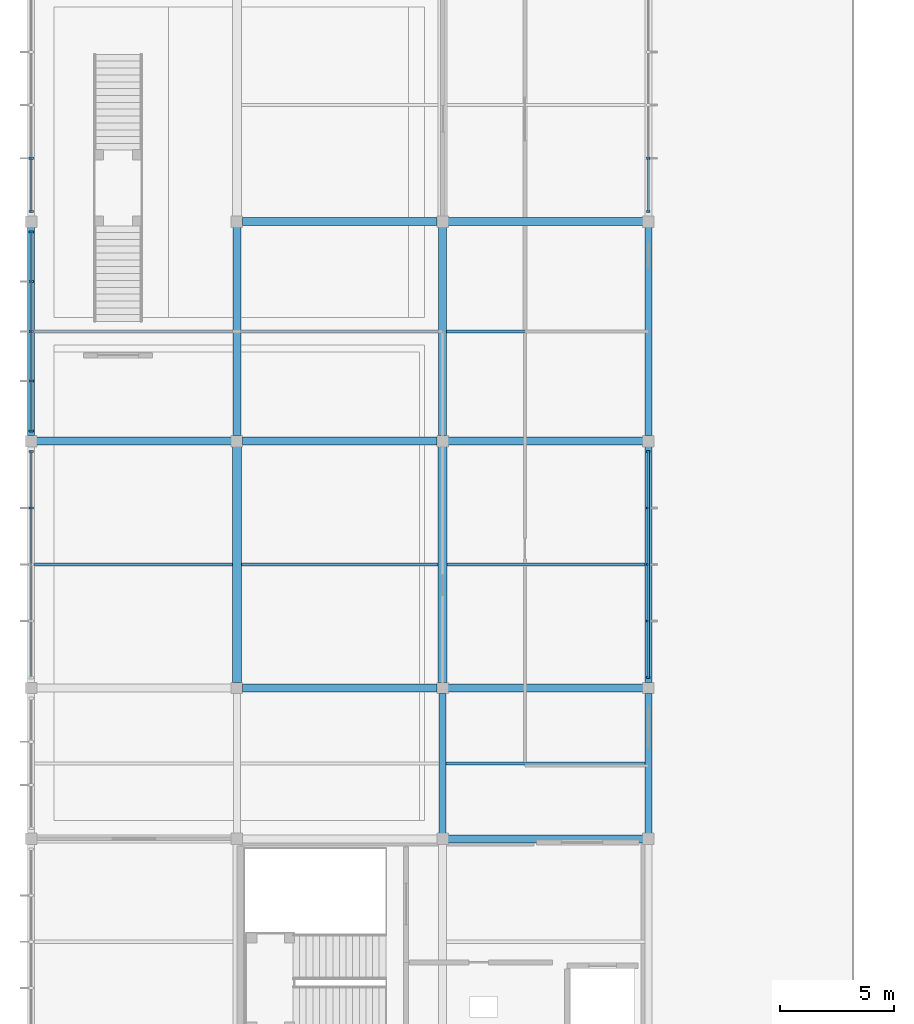
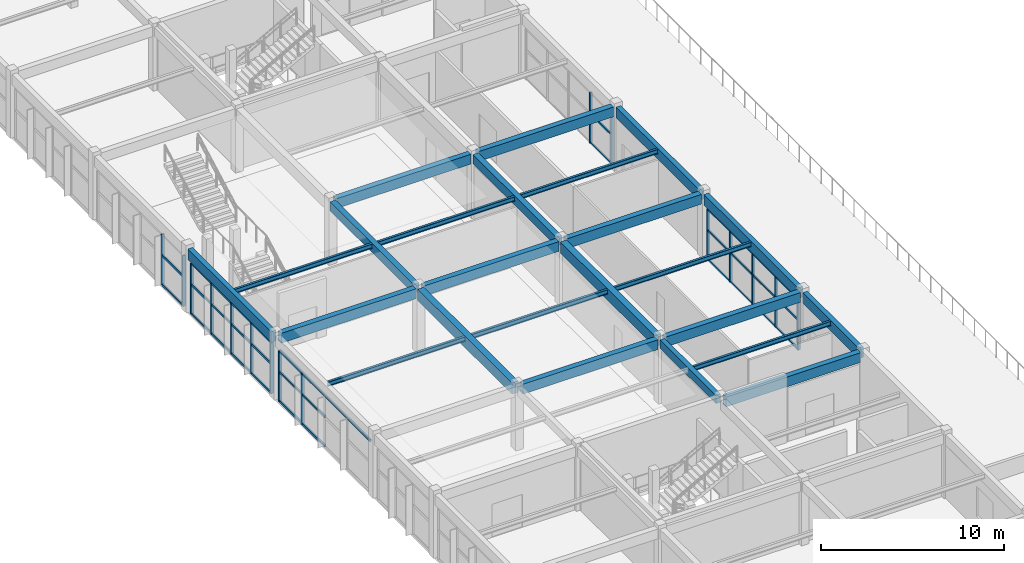
# One storey, part 4 of 22: 43 members, 24 beams, 5 elements without a shape of their own.
"""IFC4 building model written with IfcOpenShell, lengths in metres."""

from ifc_helpers import new_model, si_unit, direction, frame, origin, origin_2d, place, context, subcontext, project, spatial, rectangle, i_section, extrude, material, material_profile, profile_set, type_object, element, aggregate, save


model = new_model("IFC4")

# Units and contexts
model_context = context("Model", 3, precision=1e-05, world=origin(), true_north=direction((0.0, 1.0)))
body_context = subcontext(model_context, "Body", "Model", "MODEL_VIEW")
ifc_project = project(units=[si_unit("LENGTHUNIT", "METRE"), si_unit("AREAUNIT", "SQUARE_METRE"), si_unit("VOLUMEUNIT", "CUBIC_METRE"), si_unit("PLANEANGLEUNIT", "RADIAN"), si_unit("MASSUNIT", "GRAM", prefix="KILO")], contexts=[model_context])

# Site, building, storey
site_placement = place(None, origin())
site = spatial("IfcSite", under=ifc_project, at=site_placement, CompositionType="ELEMENT")
building_placement = place(site_placement, origin())
building = spatial("IfcBuilding", under=site, at=building_placement, Name="Suirenkawa Promenade Aquatics Centre", CompositionType="ELEMENT")
storey_placement = place(building_placement, frame((0.0, 0.0, 14.10009765625)))
storey = spatial("IfcBuildingStorey", under=building, at=storey_placement, Name="L03", CompositionType="ELEMENT", Elevation=14.10009765625)

# Beams
ifc_material_1 = material(Name="Steel IS 2062 E350 (Grade 350)", Category="steel")
ifc_material_profile_1 = material_profile(ifc_material_1, i_section(OverallWidth=0.139892578125, OverallDepth=0.300048828125, WebThickness=0.008056640625, FlangeThickness=0.012939453125, at=origin_2d()), Name="ISMB 300", Category="steel")
ifc_profile_set_1 = profile_set([ifc_material_profile_1], Name="Steel IS 2062 E350 (Grade 350)")
beam_type_1 = type_object("IfcBeamType", Name="BT-JOIST-ISMB300", PredefinedType="JOIST", material=ifc_profile_set_1)
beam_1_placement = place(storey_placement, frame((0.14404296875, 34.199951171875, 4.097900390625), z_axis=(1.0, 0.0, 0.0), x_axis=(0.0, 1.0, 0.0)))
element("IfcBeam", 1, at=beam_1_placement, inside=storey, type_object=beam_type_1, Name="Secondary floor joist JS-02 BM-0811", PredefinedType="JOIST", context=body_context, shape_type="SweptSolid", body=[
    extrude(i_section(OverallWidth=0.139892578125, OverallDepth=0.300048828125, WebThickness=0.008056640625, FlangeThickness=0.012939453125, at=origin_2d()), origin(), (0.0, 0.0, 1.0), 8.661865234375),
])
beam_2_placement = place(storey_placement, frame((0.14404296875, 44.39990234375, 4.097900390625), z_axis=(1.0, 0.0, 0.0), x_axis=(0.0, 1.0, 0.0)))
element("IfcBeam", 2, at=beam_2_placement, inside=storey, type_object=beam_type_1, Name="Secondary floor joist JS-02 BM-0812", PredefinedType="JOIST", context=body_context, shape_type="SweptSolid", body=[
    extrude(i_section(OverallWidth=0.139892578125, OverallDepth=0.300048828125, WebThickness=0.008056640625, FlangeThickness=0.012939453125, at=origin_2d()), origin(), (0.0, 0.0, 1.0), 8.68701171875),
])
beam_3_placement = place(storey_placement, frame((9.194091796875, 34.199951171875, 4.097900390625), z_axis=(1.0, 0.0, 0.0), x_axis=(0.0, 1.0, 0.0)))
element("IfcBeam", 3, at=beam_3_placement, inside=storey, type_object=beam_type_1, Name="Secondary floor joist JS-02 BM-0819", PredefinedType="JOIST", context=body_context, shape_type="SweptSolid", body=[
    extrude(i_section(OverallWidth=0.139892578125, OverallDepth=0.300048828125, WebThickness=0.008056640625, FlangeThickness=0.012939453125, at=origin_2d()), origin(), (0.0, 0.0, 1.0), 8.61181640625),
])
beam_4_placement = place(storey_placement, frame((9.1689453125, 44.39990234375, 4.097900390625), z_axis=(1.0, 0.0, 0.0), x_axis=(0.0, 1.0, 0.0)))
element("IfcBeam", 4, at=beam_4_placement, inside=storey, type_object=beam_type_1, Name="Secondary floor joist JS-02 BM-0820", PredefinedType="JOIST", context=body_context, shape_type="SweptSolid", body=[
    extrude(i_section(OverallWidth=0.139892578125, OverallDepth=0.300048828125, WebThickness=0.008056640625, FlangeThickness=0.012939453125, at=origin_2d()), origin(), (0.0, 0.0, 1.0), 8.662109375),
])
beam_5_placement = place(storey_placement, frame((18.14404296875, 25.5, 4.097900390625), z_axis=(1.0, 0.0, 0.0), x_axis=(0.0, 1.0, 0.0)))
element("IfcBeam", 5, at=beam_5_placement, inside=storey, type_object=beam_type_1, Name="Secondary floor joist JS-02 BM-0827", PredefinedType="JOIST", context=body_context, shape_type="SweptSolid", body=[
    extrude(i_section(OverallWidth=0.139892578125, OverallDepth=0.300048828125, WebThickness=0.008056640625, FlangeThickness=0.012939453125, at=origin_2d()), origin(), (0.0, 0.0, 1.0), 8.7119140625),
])
beam_6_placement = place(storey_placement, frame((18.194091796875, 34.199951171875, 4.097900390625), z_axis=(1.0, 0.0, 0.0), x_axis=(0.0, 1.0, 0.0)))
element("IfcBeam", 6, at=beam_6_placement, inside=storey, type_object=beam_type_1, Name="Secondary floor joist JS-02 BM-0828", PredefinedType="JOIST", context=body_context, shape_type="SweptSolid", body=[
    extrude(i_section(OverallWidth=0.139892578125, OverallDepth=0.300048828125, WebThickness=0.008056640625, FlangeThickness=0.012939453125, at=origin_2d()), origin(), (0.0, 0.0, 1.0), 8.661865234375),
])
beam_7_placement = place(storey_placement, frame((18.1689453125, 44.39990234375, 4.097900390625), z_axis=(1.0, 0.0, 0.0), x_axis=(0.0, 1.0, 0.0)))
element("IfcBeam", 7, at=beam_7_placement, inside=storey, type_object=beam_type_1, Name="Secondary floor joist JS-02 BM-0829", PredefinedType="JOIST", context=body_context, shape_type="SweptSolid", body=[
    extrude(i_section(OverallWidth=0.139892578125, OverallDepth=0.300048828125, WebThickness=0.008056640625, FlangeThickness=0.012939453125, at=origin_2d()), origin(), (0.0, 0.0, 1.0), 8.68701171875),
])
ifc_material_2 = material(Name="Concrete M35", Category="concrete")
ifc_material_profile_2 = material_profile(ifc_material_2, rectangle(XDim=0.300048828125, YDim=0.550048828125, at=origin_2d()), Name="RC BM 300x550", Category="concrete")
ifc_profile_set_2 = profile_set([ifc_material_profile_2], Name="Concrete M35")
beam_type_2 = type_object("IfcBeamType", Name="BT-RC-300x550", PredefinedType="BEAM", material=ifc_profile_set_2)
beam_8_placement = place(storey_placement, frame((18.0, 22.444091796875, 3.974853515625), z_axis=(0.0, 1.0, 0.0), x_axis=(-1.0, 0.0, 0.0)))
element("IfcBeam", 8, at=beam_8_placement, inside=storey, type_object=beam_type_2, Name="Floor beam BM-01 BM-0790", PredefinedType="BEAM", context=body_context, shape_type="SweptSolid", body=[
    extrude(rectangle(XDim=0.300048828125, YDim=0.550048828125, at=origin_2d()), origin(), (0.0, 0.0, 1.0), 6.11181640625),
])
ifc_material_profile_3 = material_profile(ifc_material_2, rectangle(XDim=0.35009765625, YDim=0.60009765625, at=origin_2d()), Name="RC BM 350x600", Category="concrete")
ifc_profile_set_3 = profile_set([ifc_material_profile_3], Name="Concrete M35")
beam_type_3 = type_object("IfcBeamType", Name="BT-RC-350x600", PredefinedType="BEAM", material=ifc_profile_set_3)
for number, where, z_axis, x_axis, name in (
    (9, (9.0, 39.843994140625, 3.949951171875), (0.0, 1.0, 0.0), (-1.0, 0.0, 0.0), "Floor beam BM-02 BM-0782"),
    (10, (18.0, 39.843994140625, 3.949951171875), (0.0, 1.0, 0.0), (-1.0, 0.0, 0.0), "Floor beam BM-02 BM-0792"),
):
    element("IfcBeam", number, at=place(storey_placement, frame(where, z_axis=z_axis, x_axis=x_axis)), inside=storey, type_object=beam_type_3, Name=name, PredefinedType="BEAM", context=body_context, shape_type="SweptSolid", body=[
        extrude(rectangle(XDim=0.35009765625, YDim=0.60009765625, at=origin_2d()), origin(), (0.0, 0.0, 1.0), 9.112060546875),
    ])
ifc_material_profile_4 = material_profile(ifc_material_2, rectangle(XDim=0.35009765625, YDim=0.64990234375, at=origin_2d()), Name="RC BM 350x650", Category="concrete")
ifc_profile_set_4 = profile_set([ifc_material_profile_4], Name="Concrete M35")
beam_type_4 = type_object("IfcBeamType", Name="BT-RC-350x650", PredefinedType="BEAM", material=ifc_profile_set_4)
for number, where, z_axis, x_axis, name in (
    (11, (18.243896484375, 22.199951171875, 3.9248046875), (1.0, 0.0, 0.0), (0.0, 1.0, 0.0), "Floor beam BM-03 BM-0744"),
    (12, (9.243896484375, 28.800048828125, 3.9248046875), (1.0, 0.0, 0.0), (0.0, 1.0, 0.0), "Floor beam BM-03 BM-0746"),
    (13, (18.243896484375, 28.800048828125, 3.9248046875), (1.0, 0.0, 0.0), (0.0, 1.0, 0.0), "Floor beam BM-03 BM-0747"),
    (14, (0.243896484375, 39.60009765625, 3.9248046875), (1.0, 0.0, 0.0), (0.0, 1.0, 0.0), "Floor beam BM-03 BM-0748"),
    (15, (9.243896484375, 39.60009765625, 3.9248046875), (1.0, 0.0, 0.0), (0.0, 1.0, 0.0), "Floor beam BM-03 BM-0749"),
    (16, (18.243896484375, 39.60009765625, 3.9248046875), (1.0, 0.0, 0.0), (0.0, 1.0, 0.0), "Floor beam BM-03 BM-0750"),
    (17, (9.243896484375, 49.199951171875, 3.9248046875), (1.0, 0.0, 0.0), (0.0, 1.0, 0.0), "Floor beam BM-03 BM-0751"),
    (18, (18.243896484375, 49.199951171875, 3.9248046875), (1.0, 0.0, 0.0), (0.0, 1.0, 0.0), "Floor beam BM-03 BM-0752"),
):
    element("IfcBeam", number, at=place(storey_placement, frame(where, z_axis=z_axis, x_axis=x_axis)), inside=storey, type_object=beam_type_4, Name=name, PredefinedType="BEAM", context=body_context, shape_type="SweptSolid", body=[
        extrude(rectangle(XDim=0.35009765625, YDim=0.64990234375, at=origin_2d()), origin(), (0.0, 0.0, 1.0), 8.51220703125),
    ])
ifc_material_3 = material(Name="Concrete M40", Category="concrete")
ifc_material_profile_5 = material_profile(ifc_material_3, rectangle(XDim=0.39990234375, YDim=0.75, at=origin_2d()), Name="RC BM 400x750", Category="concrete")
ifc_profile_set_5 = profile_set([ifc_material_profile_5], Name="Concrete M40")
beam_type_5 = type_object("IfcBeamType", Name="BT-RC-400x750", PredefinedType="BEAM", material=ifc_profile_set_5)
for number, where, z_axis, x_axis, name in (
    (19, (9.0, 29.0439453125, 3.875), (0.0, 1.0, 0.0), (-1.0, 0.0, 0.0), "Floor beam BM-05 BM-0781"),
    (20, (18.0, 29.0439453125, 3.875), (0.0, 1.0, 0.0), (-1.0, 0.0, 0.0), "Floor beam BM-05 BM-0791"),
):
    element("IfcBeam", number, at=place(storey_placement, frame(where, z_axis=z_axis, x_axis=x_axis)), inside=storey, type_object=beam_type_5, Name=name, PredefinedType="BEAM", context=body_context, shape_type="SweptSolid", body=[
        extrude(rectangle(XDim=0.39990234375, YDim=0.75, at=origin_2d()), origin(), (0.0, 0.0, 1.0), 10.31201171875),
    ])
ifc_material_profile_6 = material_profile(ifc_material_3, rectangle(XDim=0.300048828125, YDim=0.699951171875, at=origin_2d()), Name="RC SPANDREL 300x700", Category="concrete")
ifc_profile_set_6 = profile_set([ifc_material_profile_6], Name="Concrete M40")
beam_type_6 = type_object("IfcBeamType", Name="BT-SPANDREL-300x700", PredefinedType="SPANDREL", material=ifc_profile_set_6)
beam_9_placement = place(storey_placement, frame((0.0, 39.843994140625, 3.89990234375), z_axis=(0.0, 1.0, 0.0), x_axis=(-1.0, 0.0, 0.0)))
element("IfcBeam", 21, at=beam_9_placement, inside=storey, type_object=beam_type_6, Name="Floor beam SP-01 BM-0772", PredefinedType="SPANDREL", context=body_context, shape_type="SweptSolid", body=[
    extrude(rectangle(XDim=0.300048828125, YDim=0.699951171875, at=origin_2d()), origin(), (0.0, 0.0, 1.0), 9.112060546875),
])
beam_10_placement = place(storey_placement, frame((27.0, 22.444091796875, 3.89990234375), z_axis=(0.0, 1.0, 0.0), x_axis=(-1.0, 0.0, 0.0)))
element("IfcBeam", 22, at=beam_10_placement, inside=storey, type_object=beam_type_6, Name="Floor beam SP-01 BM-0800", PredefinedType="SPANDREL", context=body_context, shape_type="SweptSolid", body=[
    extrude(rectangle(XDim=0.300048828125, YDim=0.699951171875, at=origin_2d()), origin(), (0.0, 0.0, 1.0), 6.11181640625),
])
beam_11_placement = place(storey_placement, frame((27.0, 29.0439453125, 3.89990234375), z_axis=(0.0, 1.0, 0.0), x_axis=(-1.0, 0.0, 0.0)))
element("IfcBeam", 23, at=beam_11_placement, inside=storey, type_object=beam_type_6, Name="Floor beam SP-01 BM-0801", PredefinedType="SPANDREL", context=body_context, shape_type="SweptSolid", body=[
    extrude(rectangle(XDim=0.300048828125, YDim=0.699951171875, at=origin_2d()), origin(), (0.0, 0.0, 1.0), 10.31201171875),
])
beam_12_placement = place(storey_placement, frame((27.0, 39.843994140625, 3.89990234375), z_axis=(0.0, 1.0, 0.0), x_axis=(-1.0, 0.0, 0.0)))
element("IfcBeam", 24, at=beam_12_placement, inside=storey, type_object=beam_type_6, Name="Floor beam SP-01 BM-0802", PredefinedType="SPANDREL", context=body_context, shape_type="SweptSolid", body=[
    extrude(rectangle(XDim=0.300048828125, YDim=0.699951171875, at=origin_2d()), origin(), (0.0, 0.0, 1.0), 9.112060546875),
])

# Curtain wall, members
ifc_material_4 = material(Name="Anodised aluminium 6063-T6", Category="aluminium")
curtain_wall_type_1 = type_object("IfcCurtainWallType", Name="CWAT-V5EL03-74", PredefinedType="NOTDEFINED", material=ifc_material_4)
curtain_wall_1_placement = place(storey_placement, origin())
curtain_wall_1 = element("IfcCurtainWall", 25, at=curtain_wall_1_placement, inside=storey, type_object=curtain_wall_type_1, Name="Curtain wall CWA-74 CW-135", PredefinedType="NOTDEFINED")
ifc_material_profile_7 = material_profile(ifc_material_4, rectangle(XDim=0.090087890625, YDim=0.159912109375, at=origin_2d()), Name="ALU MULL 90x160", Category="aluminium")
ifc_profile_set_7 = profile_set([ifc_material_profile_7], Name="Anodised aluminium 6063-T6")
member_type_1 = type_object("IfcMemberType", Name="CWM-160x90", PredefinedType="MULLION", material=ifc_profile_set_7)
member_1_placement = place(storey_placement, frame((27.0, 39.15087890625, 0.0), z_axis=(0.0, 0.0, 1.0), x_axis=(0.0, -1.0, 0.0)))
member_1 = element("IfcMember", 26, at=member_1_placement, type_object=member_type_1, Name="Mullion ML-03 CWM-02729", PredefinedType="MULLION", context=body_context, shape_type="SweptSolid", body=[
    extrude(rectangle(XDim=0.090087890625, YDim=0.159912109375, at=origin_2d()), origin(), (0.0, 0.0, 1.0), 3.369873046875),
])
member_2_placement = place(storey_placement, frame((27.0, 36.675537109375, 0.0), z_axis=(0.0, 0.0, 1.0), x_axis=(0.0, -1.0, 0.0)))
member_2 = element("IfcMember", 27, at=member_2_placement, type_object=member_type_1, Name="Mullion ML-03 CWM-02730", PredefinedType="MULLION", context=body_context, shape_type="SweptSolid", body=[
    extrude(rectangle(XDim=0.090087890625, YDim=0.159912109375, at=origin_2d()), origin(), (0.0, 0.0, 1.0), 3.369873046875),
])
member_3_placement = place(storey_placement, frame((27.0, 34.199951171875, 0.0), z_axis=(0.0, 0.0, 1.0), x_axis=(0.0, -1.0, 0.0)))
member_3 = element("IfcMember", 28, at=member_3_placement, type_object=member_type_1, Name="Mullion ML-03 CWM-02731", PredefinedType="MULLION", context=body_context, shape_type="SweptSolid", body=[
    extrude(rectangle(XDim=0.090087890625, YDim=0.159912109375, at=origin_2d()), origin(), (0.0, 0.0, 1.0), 3.369873046875),
])
member_4_placement = place(storey_placement, frame((27.0, 31.724609375, 0.0), z_axis=(0.0, 0.0, 1.0), x_axis=(0.0, -1.0, 0.0)))
member_4 = element("IfcMember", 29, at=member_4_placement, type_object=member_type_1, Name="Mullion ML-03 CWM-02732", PredefinedType="MULLION", context=body_context, shape_type="SweptSolid", body=[
    extrude(rectangle(XDim=0.090087890625, YDim=0.159912109375, at=origin_2d()), origin(), (0.0, 0.0, 1.0), 3.369873046875),
])
member_5_placement = place(storey_placement, frame((27.0, 29.2490234375, 0.0), z_axis=(0.0, 0.0, 1.0), x_axis=(0.0, -1.0, 0.0)))
member_5 = element("IfcMember", 30, at=member_5_placement, type_object=member_type_1, Name="Mullion ML-03 CWM-02733", PredefinedType="MULLION", context=body_context, shape_type="SweptSolid", body=[
    extrude(rectangle(XDim=0.090087890625, YDim=0.159912109375, at=origin_2d()), origin(), (0.0, 0.0, 1.0), 3.369873046875),
])

curtain_wall_type_2 = type_object("IfcCurtainWallType", Name="CWAT-V5EL03-77", PredefinedType="NOTDEFINED", material=ifc_material_4)
curtain_wall_2_placement = place(storey_placement, origin())
curtain_wall_2 = element("IfcCurtainWall", 31, at=curtain_wall_2_placement, inside=storey, type_object=curtain_wall_type_2, Name="Curtain wall CWA-77 CW-138", PredefinedType="NOTDEFINED")
member_6_placement = place(storey_placement, frame((27.0, 51.974609375, 0.0), z_axis=(0.0, 0.0, 1.0), x_axis=(0.0, -1.0, 0.0)))
member_6 = element("IfcMember", 32, at=member_6_placement, type_object=member_type_1, Name="Mullion ML-03 CWM-02798", PredefinedType="MULLION", context=body_context, shape_type="SweptSolid", body=[
    extrude(rectangle(XDim=0.090087890625, YDim=0.159912109375, at=origin_2d()), origin(), (0.0, 0.0, 1.0), 3.369873046875),
])
member_7_placement = place(storey_placement, frame((27.0, 49.64892578125, 0.0), z_axis=(0.0, 0.0, 1.0), x_axis=(0.0, -1.0, 0.0)))
member_7 = element("IfcMember", 33, at=member_7_placement, type_object=member_type_1, Name="Mullion ML-03 CWM-02799", PredefinedType="MULLION", context=body_context, shape_type="SweptSolid", body=[
    extrude(rectangle(XDim=0.090087890625, YDim=0.159912109375, at=origin_2d()), origin(), (0.0, 0.0, 1.0), 3.369873046875),
])

curtain_wall_type_3 = type_object("IfcCurtainWallType", Name="CWAT-V5WL03-73", PredefinedType="NOTDEFINED", material=ifc_material_4)
curtain_wall_3_placement = place(storey_placement, origin())
curtain_wall_3 = element("IfcCurtainWall", 34, at=curtain_wall_3_placement, inside=storey, type_object=curtain_wall_type_3, Name="Curtain wall CWA-73 CW-134", PredefinedType="NOTDEFINED")
ifc_material_profile_8 = material_profile(ifc_material_4, rectangle(XDim=0.094970703125, YDim=0.18994140625, at=origin_2d()), Name="ALU MULL 95x190", Category="aluminium")
ifc_profile_set_8 = profile_set([ifc_material_profile_8], Name="Anodised aluminium 6063-T6")
member_type_2 = type_object("IfcMemberType", Name="CWM-190x95", PredefinedType="MULLION", material=ifc_profile_set_8)
member_8_placement = place(storey_placement, frame((0.0, 36.675537109375, 0.0), z_axis=(0.0, 0.0, 1.0), x_axis=(0.0, 1.0, 0.0)))
member_8 = element("IfcMember", 35, at=member_8_placement, type_object=member_type_2, Name="Mullion ML-02 CWM-02710", PredefinedType="MULLION", context=body_context, shape_type="SweptSolid", body=[
    extrude(rectangle(XDim=0.094970703125, YDim=0.18994140625, at=origin_2d()), origin(), (0.0, 0.0, 1.0), 3.369873046875),
])
member_9_placement = place(storey_placement, frame((0.0, 39.15087890625, 0.0), z_axis=(0.0, 0.0, 1.0), x_axis=(0.0, 1.0, 0.0)))
member_9 = element("IfcMember", 36, at=member_9_placement, type_object=member_type_2, Name="Mullion ML-02 CWM-02711", PredefinedType="MULLION", context=body_context, shape_type="SweptSolid", body=[
    extrude(rectangle(XDim=0.094970703125, YDim=0.18994140625, at=origin_2d()), origin(), (0.0, 0.0, 1.0), 3.369873046875),
])

curtain_wall_type_4 = type_object("IfcCurtainWallType", Name="CWAT-V5WL03-75", PredefinedType="NOTDEFINED", material=ifc_material_4)
curtain_wall_4_placement = place(storey_placement, origin())
curtain_wall_4 = element("IfcCurtainWall", 37, at=curtain_wall_4_placement, inside=storey, type_object=curtain_wall_type_4, Name="Curtain wall CWA-75 CW-136", PredefinedType="NOTDEFINED")
member_10_placement = place(storey_placement, frame((0.0, 40.049072265625, 0.0), z_axis=(0.0, 0.0, 1.0), x_axis=(0.0, 1.0, 0.0)))
member_10 = element("IfcMember", 38, at=member_10_placement, type_object=member_type_2, Name="Mullion ML-02 CWM-02751", PredefinedType="MULLION", context=body_context, shape_type="SweptSolid", body=[
    extrude(rectangle(XDim=0.094970703125, YDim=0.18994140625, at=origin_2d()), origin(), (0.0, 0.0, 1.0), 3.369873046875),
])
member_11_placement = place(storey_placement, frame((0.0, 42.224609375, 0.0), z_axis=(0.0, 0.0, 1.0), x_axis=(0.0, 1.0, 0.0)))
member_11 = element("IfcMember", 39, at=member_11_placement, type_object=member_type_2, Name="Mullion ML-02 CWM-02752", PredefinedType="MULLION", context=body_context, shape_type="SweptSolid", body=[
    extrude(rectangle(XDim=0.094970703125, YDim=0.18994140625, at=origin_2d()), origin(), (0.0, 0.0, 1.0), 3.369873046875),
])
member_12_placement = place(storey_placement, frame((0.0, 44.39990234375, 0.0), z_axis=(0.0, 0.0, 1.0), x_axis=(0.0, 1.0, 0.0)))
member_12 = element("IfcMember", 40, at=member_12_placement, type_object=member_type_2, Name="Mullion ML-02 CWM-02753", PredefinedType="MULLION", context=body_context, shape_type="SweptSolid", body=[
    extrude(rectangle(XDim=0.094970703125, YDim=0.18994140625, at=origin_2d()), origin(), (0.0, 0.0, 1.0), 3.369873046875),
])
member_13_placement = place(storey_placement, frame((0.0, 46.575439453125, 0.0), z_axis=(0.0, 0.0, 1.0), x_axis=(0.0, 1.0, 0.0)))
member_13 = element("IfcMember", 41, at=member_13_placement, type_object=member_type_2, Name="Mullion ML-02 CWM-02754", PredefinedType="MULLION", context=body_context, shape_type="SweptSolid", body=[
    extrude(rectangle(XDim=0.094970703125, YDim=0.18994140625, at=origin_2d()), origin(), (0.0, 0.0, 1.0), 3.369873046875),
])
member_14_placement = place(storey_placement, frame((0.0, 48.7509765625, 0.0), z_axis=(0.0, 0.0, 1.0), x_axis=(0.0, 1.0, 0.0)))
member_14 = element("IfcMember", 42, at=member_14_placement, type_object=member_type_2, Name="Mullion ML-02 CWM-02755", PredefinedType="MULLION", context=body_context, shape_type="SweptSolid", body=[
    extrude(rectangle(XDim=0.094970703125, YDim=0.18994140625, at=origin_2d()), origin(), (0.0, 0.0, 1.0), 3.369873046875),
])

curtain_wall_type_5 = type_object("IfcCurtainWallType", Name="CWAT-V5WL03-76", PredefinedType="NOTDEFINED", material=ifc_material_4)
curtain_wall_5_placement = place(storey_placement, origin())
curtain_wall_5 = element("IfcCurtainWall", 43, at=curtain_wall_5_placement, inside=storey, type_object=curtain_wall_type_5, Name="Curtain wall CWA-76 CW-137", PredefinedType="NOTDEFINED")
member_15_placement = place(storey_placement, frame((0.0, 49.64892578125, 0.0), z_axis=(0.0, 0.0, 1.0), x_axis=(0.0, 1.0, 0.0)))
member_15 = element("IfcMember", 44, at=member_15_placement, type_object=member_type_2, Name="Mullion ML-02 CWM-02773", PredefinedType="MULLION", context=body_context, shape_type="SweptSolid", body=[
    extrude(rectangle(XDim=0.094970703125, YDim=0.18994140625, at=origin_2d()), origin(), (0.0, 0.0, 1.0), 3.369873046875),
])
member_16_placement = place(storey_placement, frame((0.0, 51.974609375, 0.0), z_axis=(0.0, 0.0, 1.0), x_axis=(0.0, 1.0, 0.0)))
member_16 = element("IfcMember", 45, at=member_16_placement, type_object=member_type_2, Name="Mullion ML-02 CWM-02774", PredefinedType="MULLION", context=body_context, shape_type="SweptSolid", body=[
    extrude(rectangle(XDim=0.094970703125, YDim=0.18994140625, at=origin_2d()), origin(), (0.0, 0.0, 1.0), 3.369873046875),
])

# Member
ifc_material_profile_9 = material_profile(ifc_material_4, rectangle(XDim=0.090087890625, YDim=0.1298828125, at=origin_2d()), Name="ALU TRAN 90x130", Category="aluminium")
ifc_profile_set_9 = profile_set([ifc_material_profile_9], Name="Anodised aluminium 6063-T6")
member_type_3 = type_object("IfcMemberType", Name="CWT-130x90", PredefinedType="USERDEFINED", material=ifc_profile_set_9)
member_17_placement = place(storey_placement, frame((27.0, 39.15087890625, 0.0), z_axis=(0.0, -1.0, 0.0), x_axis=(1.0, 0.0, 0.0)))
member_17 = element("IfcMember", 46, at=member_17_placement, type_object=member_type_3, Name="Transom TR-03 CWT-02734", ObjectType="TRANSOM", PredefinedType="USERDEFINED", context=body_context, shape_type="SweptSolid", body=[
    extrude(rectangle(XDim=0.090087890625, YDim=0.1298828125, at=origin_2d()), origin(), (0.0, 0.0, 1.0), 2.475341796875),
])

member_18_placement = place(storey_placement, frame((27.0, 36.675537109375, 0.0), z_axis=(0.0, -1.0, 0.0), x_axis=(1.0, 0.0, 0.0)))
member_18 = element("IfcMember", 47, at=member_18_placement, type_object=member_type_3, Name="Transom TR-03 CWT-02735", ObjectType="TRANSOM", PredefinedType="USERDEFINED", context=body_context, shape_type="SweptSolid", body=[
    extrude(rectangle(XDim=0.090087890625, YDim=0.1298828125, at=origin_2d()), origin(), (0.0, 0.0, 1.0), 2.4755859375),
])

member_19_placement = place(storey_placement, frame((27.0, 34.199951171875, 0.0), z_axis=(0.0, -1.0, 0.0), x_axis=(1.0, 0.0, 0.0)))
member_19 = element("IfcMember", 48, at=member_19_placement, type_object=member_type_3, Name="Transom TR-03 CWT-02736", ObjectType="TRANSOM", PredefinedType="USERDEFINED", context=body_context, shape_type="SweptSolid", body=[
    extrude(rectangle(XDim=0.090087890625, YDim=0.1298828125, at=origin_2d()), origin(), (0.0, 0.0, 1.0), 2.475341796875),
])

member_20_placement = place(storey_placement, frame((27.0, 31.724609375, 0.0), z_axis=(0.0, -1.0, 0.0), x_axis=(1.0, 0.0, 0.0)))
member_20 = element("IfcMember", 49, at=member_20_placement, type_object=member_type_3, Name="Transom TR-03 CWT-02737", ObjectType="TRANSOM", PredefinedType="USERDEFINED", context=body_context, shape_type="SweptSolid", body=[
    extrude(rectangle(XDim=0.090087890625, YDim=0.1298828125, at=origin_2d()), origin(), (0.0, 0.0, 1.0), 2.4755859375),
])

member_21_placement = place(storey_placement, frame((27.0, 39.15087890625, 1.949951171875), z_axis=(0.0, -1.0, 0.0), x_axis=(1.0, 0.0, 0.0)))
member_21 = element("IfcMember", 50, at=member_21_placement, type_object=member_type_3, Name="Transom TR-03 CWT-02738", ObjectType="TRANSOM", PredefinedType="USERDEFINED", context=body_context, shape_type="SweptSolid", body=[
    extrude(rectangle(XDim=0.090087890625, YDim=0.1298828125, at=origin_2d()), origin(), (0.0, 0.0, 1.0), 2.475341796875),
])

member_22_placement = place(storey_placement, frame((27.0, 36.675537109375, 1.949951171875), z_axis=(0.0, -1.0, 0.0), x_axis=(1.0, 0.0, 0.0)))
member_22 = element("IfcMember", 51, at=member_22_placement, type_object=member_type_3, Name="Transom TR-03 CWT-02739", ObjectType="TRANSOM", PredefinedType="USERDEFINED", context=body_context, shape_type="SweptSolid", body=[
    extrude(rectangle(XDim=0.090087890625, YDim=0.1298828125, at=origin_2d()), origin(), (0.0, 0.0, 1.0), 2.4755859375),
])

member_23_placement = place(storey_placement, frame((27.0, 34.199951171875, 1.949951171875), z_axis=(0.0, -1.0, 0.0), x_axis=(1.0, 0.0, 0.0)))
member_23 = element("IfcMember", 52, at=member_23_placement, type_object=member_type_3, Name="Transom TR-03 CWT-02740", ObjectType="TRANSOM", PredefinedType="USERDEFINED", context=body_context, shape_type="SweptSolid", body=[
    extrude(rectangle(XDim=0.090087890625, YDim=0.1298828125, at=origin_2d()), origin(), (0.0, 0.0, 1.0), 2.475341796875),
])

member_24_placement = place(storey_placement, frame((27.0, 31.724609375, 1.949951171875), z_axis=(0.0, -1.0, 0.0), x_axis=(1.0, 0.0, 0.0)))
member_24 = element("IfcMember", 53, at=member_24_placement, type_object=member_type_3, Name="Transom TR-03 CWT-02741", ObjectType="TRANSOM", PredefinedType="USERDEFINED", context=body_context, shape_type="SweptSolid", body=[
    extrude(rectangle(XDim=0.090087890625, YDim=0.1298828125, at=origin_2d()), origin(), (0.0, 0.0, 1.0), 2.4755859375),
])

member_25_placement = place(storey_placement, frame((27.0, 39.15087890625, 3.369873046875), z_axis=(0.0, -1.0, 0.0), x_axis=(1.0, 0.0, 0.0)))
member_25 = element("IfcMember", 54, at=member_25_placement, type_object=member_type_3, Name="Roofline transom TR-03 CWT-02742", ObjectType="TRANSOM", PredefinedType="USERDEFINED", context=body_context, shape_type="SweptSolid", body=[
    extrude(rectangle(XDim=0.090087890625, YDim=0.1298828125, at=origin_2d()), origin(), (0.0, 0.0, 1.0), 9.90185546875),
])

aggregate(curtain_wall_1, [member_1, member_2, member_3, member_4, member_5, member_17, member_18, member_19, member_20, member_21, member_22, member_23, member_24, member_25])

member_26_placement = place(storey_placement, frame((27.0, 51.974609375, 0.0), z_axis=(0.0, -1.0, 0.0), x_axis=(1.0, 0.0, 0.0)))
member_26 = element("IfcMember", 55, at=member_26_placement, type_object=member_type_3, Name="Transom TR-03 CWT-02803", ObjectType="TRANSOM", PredefinedType="USERDEFINED", context=body_context, shape_type="SweptSolid", body=[
    extrude(rectangle(XDim=0.090087890625, YDim=0.1298828125, at=origin_2d()), origin(), (0.0, 0.0, 1.0), 2.32568359375),
])

member_27_placement = place(storey_placement, frame((27.0, 51.974609375, 1.949951171875), z_axis=(0.0, -1.0, 0.0), x_axis=(1.0, 0.0, 0.0)))
member_27 = element("IfcMember", 56, at=member_27_placement, type_object=member_type_3, Name="Transom TR-03 CWT-02807", ObjectType="TRANSOM", PredefinedType="USERDEFINED", context=body_context, shape_type="SweptSolid", body=[
    extrude(rectangle(XDim=0.090087890625, YDim=0.1298828125, at=origin_2d()), origin(), (0.0, 0.0, 1.0), 2.32568359375),
])

aggregate(curtain_wall_2, [member_6, member_7, member_26, member_27])

ifc_material_profile_10 = material_profile(ifc_material_4, rectangle(XDim=0.094970703125, YDim=0.14990234375, at=origin_2d()), Name="ALU TRAN 95x150", Category="aluminium")
ifc_profile_set_10 = profile_set([ifc_material_profile_10], Name="Anodised aluminium 6063-T6")
member_type_4 = type_object("IfcMemberType", Name="CWT-150x95", PredefinedType="USERDEFINED", material=ifc_profile_set_10)
member_28_placement = place(storey_placement, frame((0.0, 34.199951171875, 0.0), z_axis=(0.0, 1.0, 0.0), x_axis=(-1.0, 0.0, 0.0)))
member_28 = element("IfcMember", 57, at=member_28_placement, type_object=member_type_4, Name="Transom TR-02 CWT-02714", ObjectType="TRANSOM", PredefinedType="USERDEFINED", context=body_context, shape_type="SweptSolid", body=[
    extrude(rectangle(XDim=0.094970703125, YDim=0.14990234375, at=origin_2d()), origin(), (0.0, 0.0, 1.0), 2.4755859375),
])

member_29_placement = place(storey_placement, frame((0.0, 36.675537109375, 0.0), z_axis=(0.0, 1.0, 0.0), x_axis=(-1.0, 0.0, 0.0)))
member_29 = element("IfcMember", 58, at=member_29_placement, type_object=member_type_4, Name="Transom TR-02 CWT-02715", ObjectType="TRANSOM", PredefinedType="USERDEFINED", context=body_context, shape_type="SweptSolid", body=[
    extrude(rectangle(XDim=0.094970703125, YDim=0.14990234375, at=origin_2d()), origin(), (0.0, 0.0, 1.0), 2.475341796875),
])

member_30_placement = place(storey_placement, frame((0.0, 34.199951171875, 1.949951171875), z_axis=(0.0, 1.0, 0.0), x_axis=(-1.0, 0.0, 0.0)))
member_30 = element("IfcMember", 59, at=member_30_placement, type_object=member_type_4, Name="Transom TR-02 CWT-02718", ObjectType="TRANSOM", PredefinedType="USERDEFINED", context=body_context, shape_type="SweptSolid", body=[
    extrude(rectangle(XDim=0.094970703125, YDim=0.14990234375, at=origin_2d()), origin(), (0.0, 0.0, 1.0), 2.4755859375),
])

member_31_placement = place(storey_placement, frame((0.0, 36.675537109375, 1.949951171875), z_axis=(0.0, 1.0, 0.0), x_axis=(-1.0, 0.0, 0.0)))
member_31 = element("IfcMember", 60, at=member_31_placement, type_object=member_type_4, Name="Transom TR-02 CWT-02719", ObjectType="TRANSOM", PredefinedType="USERDEFINED", context=body_context, shape_type="SweptSolid", body=[
    extrude(rectangle(XDim=0.094970703125, YDim=0.14990234375, at=origin_2d()), origin(), (0.0, 0.0, 1.0), 2.475341796875),
])

member_32_placement = place(storey_placement, frame((0.0, 29.2490234375, 3.369873046875), z_axis=(0.0, 1.0, 0.0), x_axis=(-1.0, 0.0, 0.0)))
member_32 = element("IfcMember", 61, at=member_32_placement, type_object=member_type_4, Name="Roofline transom TR-02 CWT-02720", ObjectType="TRANSOM", PredefinedType="USERDEFINED", context=body_context, shape_type="SweptSolid", body=[
    extrude(rectangle(XDim=0.094970703125, YDim=0.14990234375, at=origin_2d()), origin(), (0.0, 0.0, 1.0), 9.90185546875),
])

aggregate(curtain_wall_3, [member_8, member_9, member_28, member_29, member_30, member_31, member_32])

member_33_placement = place(storey_placement, frame((0.0, 40.049072265625, 0.0), z_axis=(0.0, 1.0, 0.0), x_axis=(-1.0, 0.0, 0.0)))
member_33 = element("IfcMember", 62, at=member_33_placement, type_object=member_type_4, Name="Transom TR-02 CWT-02756", ObjectType="TRANSOM", PredefinedType="USERDEFINED", context=body_context, shape_type="SweptSolid", body=[
    extrude(rectangle(XDim=0.094970703125, YDim=0.14990234375, at=origin_2d()), origin(), (0.0, 0.0, 1.0), 2.175537109375),
])

member_34_placement = place(storey_placement, frame((0.0, 42.224609375, 0.0), z_axis=(0.0, 1.0, 0.0), x_axis=(-1.0, 0.0, 0.0)))
member_34 = element("IfcMember", 63, at=member_34_placement, type_object=member_type_4, Name="Transom TR-02 CWT-02757", ObjectType="TRANSOM", PredefinedType="USERDEFINED", context=body_context, shape_type="SweptSolid", body=[
    extrude(rectangle(XDim=0.094970703125, YDim=0.14990234375, at=origin_2d()), origin(), (0.0, 0.0, 1.0), 2.17529296875),
])

member_35_placement = place(storey_placement, frame((0.0, 44.39990234375, 0.0), z_axis=(0.0, 1.0, 0.0), x_axis=(-1.0, 0.0, 0.0)))
member_35 = element("IfcMember", 64, at=member_35_placement, type_object=member_type_4, Name="Transom TR-02 CWT-02758", ObjectType="TRANSOM", PredefinedType="USERDEFINED", context=body_context, shape_type="SweptSolid", body=[
    extrude(rectangle(XDim=0.094970703125, YDim=0.14990234375, at=origin_2d()), origin(), (0.0, 0.0, 1.0), 2.175537109375),
])

member_36_placement = place(storey_placement, frame((0.0, 46.575439453125, 0.0), z_axis=(0.0, 1.0, 0.0), x_axis=(-1.0, 0.0, 0.0)))
member_36 = element("IfcMember", 65, at=member_36_placement, type_object=member_type_4, Name="Transom TR-02 CWT-02759", ObjectType="TRANSOM", PredefinedType="USERDEFINED", context=body_context, shape_type="SweptSolid", body=[
    extrude(rectangle(XDim=0.094970703125, YDim=0.14990234375, at=origin_2d()), origin(), (0.0, 0.0, 1.0), 2.175537109375),
])

member_37_placement = place(storey_placement, frame((0.0, 40.049072265625, 1.949951171875), z_axis=(0.0, 1.0, 0.0), x_axis=(-1.0, 0.0, 0.0)))
member_37 = element("IfcMember", 66, at=member_37_placement, type_object=member_type_4, Name="Transom TR-02 CWT-02760", ObjectType="TRANSOM", PredefinedType="USERDEFINED", context=body_context, shape_type="SweptSolid", body=[
    extrude(rectangle(XDim=0.094970703125, YDim=0.14990234375, at=origin_2d()), origin(), (0.0, 0.0, 1.0), 2.175537109375),
])

member_38_placement = place(storey_placement, frame((0.0, 42.224609375, 1.949951171875), z_axis=(0.0, 1.0, 0.0), x_axis=(-1.0, 0.0, 0.0)))
member_38 = element("IfcMember", 67, at=member_38_placement, type_object=member_type_4, Name="Transom TR-02 CWT-02761", ObjectType="TRANSOM", PredefinedType="USERDEFINED", context=body_context, shape_type="SweptSolid", body=[
    extrude(rectangle(XDim=0.094970703125, YDim=0.14990234375, at=origin_2d()), origin(), (0.0, 0.0, 1.0), 2.17529296875),
])

member_39_placement = place(storey_placement, frame((0.0, 44.39990234375, 1.949951171875), z_axis=(0.0, 1.0, 0.0), x_axis=(-1.0, 0.0, 0.0)))
member_39 = element("IfcMember", 68, at=member_39_placement, type_object=member_type_4, Name="Transom TR-02 CWT-02762", ObjectType="TRANSOM", PredefinedType="USERDEFINED", context=body_context, shape_type="SweptSolid", body=[
    extrude(rectangle(XDim=0.094970703125, YDim=0.14990234375, at=origin_2d()), origin(), (0.0, 0.0, 1.0), 2.175537109375),
])

member_40_placement = place(storey_placement, frame((0.0, 46.575439453125, 1.949951171875), z_axis=(0.0, 1.0, 0.0), x_axis=(-1.0, 0.0, 0.0)))
member_40 = element("IfcMember", 69, at=member_40_placement, type_object=member_type_4, Name="Transom TR-02 CWT-02763", ObjectType="TRANSOM", PredefinedType="USERDEFINED", context=body_context, shape_type="SweptSolid", body=[
    extrude(rectangle(XDim=0.094970703125, YDim=0.14990234375, at=origin_2d()), origin(), (0.0, 0.0, 1.0), 2.175537109375),
])

member_41_placement = place(storey_placement, frame((0.0, 40.049072265625, 3.369873046875), z_axis=(0.0, 1.0, 0.0), x_axis=(-1.0, 0.0, 0.0)))
member_41 = element("IfcMember", 70, at=member_41_placement, type_object=member_type_4, Name="Roofline transom TR-02 CWT-02764", ObjectType="TRANSOM", PredefinedType="USERDEFINED", context=body_context, shape_type="SweptSolid", body=[
    extrude(rectangle(XDim=0.094970703125, YDim=0.14990234375, at=origin_2d()), origin(), (0.0, 0.0, 1.0), 8.701904296875),
])

aggregate(curtain_wall_4, [member_10, member_11, member_12, member_13, member_14, member_33, member_34, member_35, member_36, member_37, member_38, member_39, member_40, member_41])

member_42_placement = place(storey_placement, frame((0.0, 49.64892578125, 0.0), z_axis=(0.0, 1.0, 0.0), x_axis=(-1.0, 0.0, 0.0)))
member_42 = element("IfcMember", 71, at=member_42_placement, type_object=member_type_4, Name="Transom TR-02 CWT-02778", ObjectType="TRANSOM", PredefinedType="USERDEFINED", context=body_context, shape_type="SweptSolid", body=[
    extrude(rectangle(XDim=0.094970703125, YDim=0.14990234375, at=origin_2d()), origin(), (0.0, 0.0, 1.0), 2.32568359375),
])

member_43_placement = place(storey_placement, frame((0.0, 49.64892578125, 1.949951171875), z_axis=(0.0, 1.0, 0.0), x_axis=(-1.0, 0.0, 0.0)))
member_43 = element("IfcMember", 72, at=member_43_placement, type_object=member_type_4, Name="Transom TR-02 CWT-02782", ObjectType="TRANSOM", PredefinedType="USERDEFINED", context=body_context, shape_type="SweptSolid", body=[
    extrude(rectangle(XDim=0.094970703125, YDim=0.14990234375, at=origin_2d()), origin(), (0.0, 0.0, 1.0), 2.32568359375),
])

aggregate(curtain_wall_5, [member_15, member_16, member_42, member_43])

save(model, "model.ifc")
